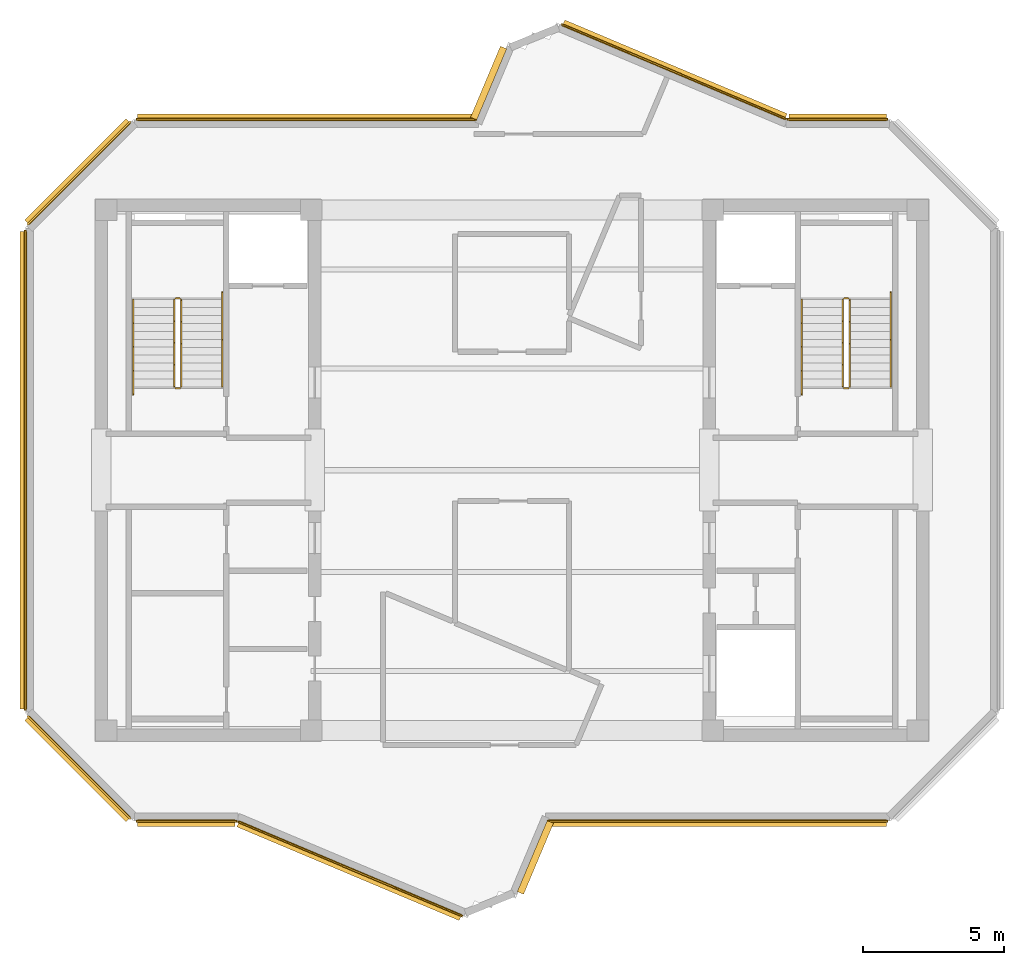
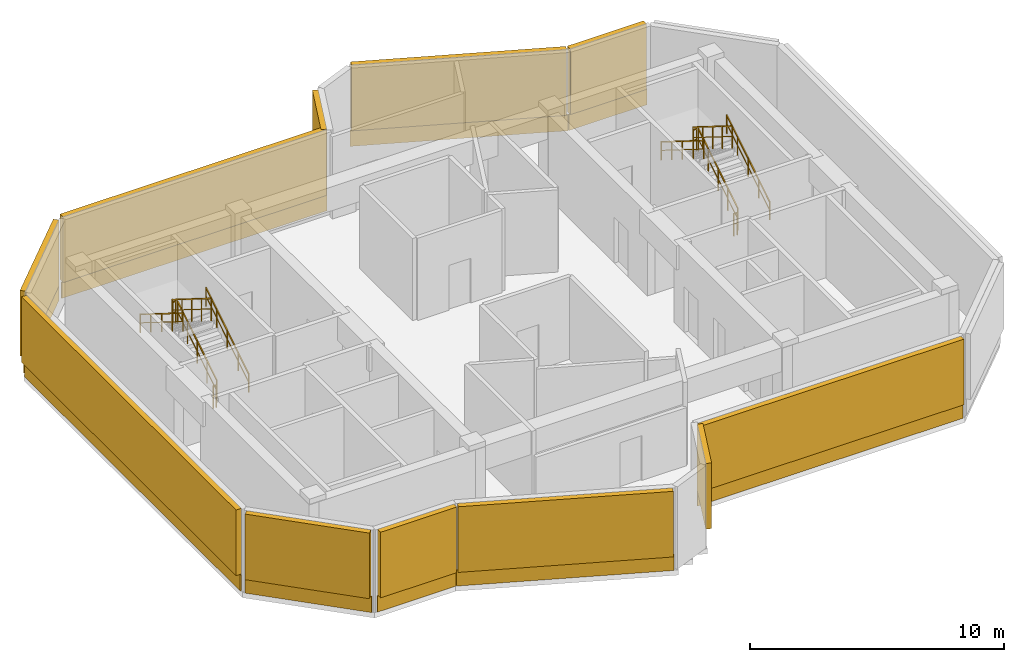
# One storey, part 4 of 5: 12 railings, 11 shading devices, 9 coverings.
"""IFC4 building model written with IfcOpenShell, lengths in metres."""

from ifc_helpers import new_model, si_unit, direction, frame, origin, origin_2d, place, context, subcontext, project, spatial, rectangle, extrude, source, transform, mapped, material, layer, layer_set, type_object, element, save


model = new_model("IFC4")

# Units and contexts
model_context = context("Model", 3, precision=1e-05, world=origin(), true_north=direction((0.0, 1.0)))
body_context = subcontext(model_context, "Body", "Model", "MODEL_VIEW")
ifc_project = project(units=[si_unit("LENGTHUNIT", "METRE"), si_unit("AREAUNIT", "SQUARE_METRE"), si_unit("VOLUMEUNIT", "CUBIC_METRE"), si_unit("PLANEANGLEUNIT", "RADIAN"), si_unit("MASSUNIT", "GRAM", prefix="KILO")], contexts=[model_context])

# Site, building, storey
site_placement = place(None, origin())
site = spatial("IfcSite", under=ifc_project, at=site_placement, CompositionType="ELEMENT")
building_placement = place(site_placement, origin())
building = spatial("IfcBuilding", under=site, at=building_placement, Name="Zahravan Cultural Tower", CompositionType="ELEMENT")
storey_placement = place(building_placement, frame((0.0, 0.0, 379.64990234375)))
storey = spatial("IfcBuildingStorey", under=building, at=storey_placement, Name="L92", CompositionType="ELEMENT", Elevation=379.64990234375)

# Railings
ifc_material_1 = material(Name="Steel ASTM A572 Grade 50", Category="steel")
railing_type_1 = type_object("IfcRailingType", Name="RL-STAIR-GRD1150", PredefinedType="BALUSTRADE", material=ifc_material_1)
railing_1_placement = place(storey_placement, frame((24.300048828125, 29.949951171875, 0.175048828125)))
element("IfcRailing", 1, at=railing_1_placement, inside=storey, type_object=railing_type_1, Name="L92 ST-W1 stair guard 1", PredefinedType="BALUSTRADE", context=body_context, shape_type="SweptSolid", body=[
    extrude(rectangle(XDim=0.05, YDim=0.05, at=origin_2d()), frame((0.0, 0.0, 1.0751953125), z_axis=(0.0, 0.847998304005, 0.529998940003), x_axis=(-1.0, 0.0, 0.0)), (0.0, 0.0, 1.0), 3.632080078125),
    extrude(rectangle(XDim=0.032, YDim=0.032, at=origin_2d()), frame((0.0, 0.0, 0.572021484375), z_axis=(0.0, 0.847998304005, 0.529998940003), x_axis=(-1.0, 0.0, 0.0)), (0.0, 0.0, 1.0), 3.632080078125),
    extrude(rectangle(XDim=0.04, YDim=0.04, at=origin_2d()), origin(), (0.0, 0.0, 1.0), 1.10009765625),
    extrude(rectangle(XDim=0.04, YDim=0.04, at=origin_2d()), frame((0.0, 0.77001953125, 0.481201171875)), (0.0, 0.0, 1.0), 1.10009765625),
    extrude(rectangle(XDim=0.04, YDim=0.04, at=origin_2d()), frame((0.0, 1.5400390625, 0.96240234375)), (0.0, 0.0, 1.0), 1.10009765625),
    extrude(rectangle(XDim=0.04, YDim=0.04, at=origin_2d()), frame((0.0, 2.31005859375, 1.44384765625)), (0.0, 0.0, 1.0), 1.10009765625),
    extrude(rectangle(XDim=0.04, YDim=0.04, at=origin_2d()), frame((0.0, 3.080078125, 1.925048828125)), (0.0, 0.0, 1.0), 1.10009765625),
])
railing_2_placement = place(storey_placement, frame((24.25, 33.080078125, 2.10009765625)))
element("IfcRailing", 2, at=railing_2_placement, inside=storey, type_object=railing_type_1, Name="L92 ST-W1 stair guard 2", PredefinedType="BALUSTRADE", context=body_context, shape_type="SweptSolid", body=[
    extrude(rectangle(XDim=0.05, YDim=0.05, at=origin_2d()), frame((0.0, 0.0, 1.0751953125), z_axis=(-1.0, 0.0, 0.0), x_axis=(0.0, -1.0, 0.0)), (0.0, 0.0, 1.0), 0.14990234375),
    extrude(rectangle(XDim=0.032, YDim=0.032, at=origin_2d()), frame((0.0, 0.0, 0.572021484375), z_axis=(-1.0, 0.0, 0.0), x_axis=(0.0, -1.0, 0.0)), (0.0, 0.0, 1.0), 0.14990234375),
    extrude(rectangle(XDim=0.04, YDim=0.04, at=origin_2d()), origin(), (0.0, 0.0, 1.0), 1.10009765625),
    extrude(rectangle(XDim=0.04, YDim=0.04, at=origin_2d()), frame((-0.14990234375, 0.0, 0.0)), (0.0, 0.0, 1.0), 1.10009765625),
])
railing_3_placement = place(storey_placement, frame((24.050048828125, 33.030029296875, 2.275146484375)))
element("IfcRailing", 3, at=railing_3_placement, inside=storey, type_object=railing_type_1, Name="L92 ST-W1 stair guard 3", PredefinedType="BALUSTRADE", context=body_context, shape_type="SweptSolid", body=[
    extrude(rectangle(XDim=0.05, YDim=0.05, at=origin_2d()), frame((0.0, 0.0, 1.0751953125), z_axis=(0.0, -0.847998304005, 0.529998940003), x_axis=(1.0, 0.0, 0.0)), (0.0, 0.0, 1.0), 3.632080078125),
    extrude(rectangle(XDim=0.032, YDim=0.032, at=origin_2d()), frame((0.0, 0.0, 0.572021484375), z_axis=(0.0, -0.847998304005, 0.529998940003), x_axis=(1.0, 0.0, 0.0)), (0.0, 0.0, 1.0), 3.632080078125),
    extrude(rectangle(XDim=0.04, YDim=0.04, at=origin_2d()), origin(), (0.0, 0.0, 1.0), 1.10009765625),
    extrude(rectangle(XDim=0.04, YDim=0.04, at=origin_2d()), frame((0.0, -0.77001953125, 0.481201171875)), (0.0, 0.0, 1.0), 1.10009765625),
    extrude(rectangle(XDim=0.04, YDim=0.04, at=origin_2d()), frame((0.0, -1.5400390625, 0.96240234375)), (0.0, 0.0, 1.0), 1.10009765625),
    extrude(rectangle(XDim=0.04, YDim=0.04, at=origin_2d()), frame((0.0, -2.31005859375, 1.44384765625)), (0.0, 0.0, 1.0), 1.10009765625),
    extrude(rectangle(XDim=0.04, YDim=0.04, at=origin_2d()), frame((0.0, -3.080078125, 1.925048828125)), (0.0, 0.0, 1.0), 1.10009765625),
])
railing_4_placement = place(storey_placement, frame((24.25, 29.89990234375, 0.0)))
element("IfcRailing", 4, at=railing_4_placement, inside=storey, type_object=railing_type_1, Name="L92 ST-W1 stair guard 4", PredefinedType="BALUSTRADE", context=body_context, shape_type="SweptSolid", body=[
    extrude(rectangle(XDim=0.05, YDim=0.05, at=origin_2d()), frame((0.0, 0.0, 1.0751953125), z_axis=(-1.0, 0.0, 0.0), x_axis=(0.0, -1.0, 0.0)), (0.0, 0.0, 1.0), 0.14990234375),
    extrude(rectangle(XDim=0.032, YDim=0.032, at=origin_2d()), frame((0.0, 0.0, 0.572021484375), z_axis=(-1.0, 0.0, 0.0), x_axis=(0.0, -1.0, 0.0)), (0.0, 0.0, 1.0), 0.14990234375),
    extrude(rectangle(XDim=0.04, YDim=0.04, at=origin_2d()), origin(), (0.0, 0.0, 1.0), 1.10009765625),
    extrude(rectangle(XDim=0.04, YDim=0.04, at=origin_2d()), frame((-0.14990234375, 0.0, 0.0)), (0.0, 0.0, 1.0), 1.10009765625),
])
railing_5_placement = place(storey_placement, frame((47.949951171875, 29.949951171875, 0.175048828125)))
element("IfcRailing", 5, at=railing_5_placement, inside=storey, type_object=railing_type_1, Name="L92 ST-E1 stair guard 1", PredefinedType="BALUSTRADE", context=body_context, shape_type="SweptSolid", body=[
    extrude(rectangle(XDim=0.05, YDim=0.05, at=origin_2d()), frame((0.0, 0.0, 1.0751953125), z_axis=(0.0, 0.847998304005, 0.529998940003), x_axis=(-1.0, 0.0, 0.0)), (0.0, 0.0, 1.0), 3.632080078125),
    extrude(rectangle(XDim=0.032, YDim=0.032, at=origin_2d()), frame((0.0, 0.0, 0.572021484375), z_axis=(0.0, 0.847998304005, 0.529998940003), x_axis=(-1.0, 0.0, 0.0)), (0.0, 0.0, 1.0), 3.632080078125),
    extrude(rectangle(XDim=0.04, YDim=0.04, at=origin_2d()), origin(), (0.0, 0.0, 1.0), 1.10009765625),
    extrude(rectangle(XDim=0.04, YDim=0.04, at=origin_2d()), frame((0.0, 0.77001953125, 0.481201171875)), (0.0, 0.0, 1.0), 1.10009765625),
    extrude(rectangle(XDim=0.04, YDim=0.04, at=origin_2d()), frame((0.0, 1.5400390625, 0.96240234375)), (0.0, 0.0, 1.0), 1.10009765625),
    extrude(rectangle(XDim=0.04, YDim=0.04, at=origin_2d()), frame((0.0, 2.31005859375, 1.44384765625)), (0.0, 0.0, 1.0), 1.10009765625),
    extrude(rectangle(XDim=0.04, YDim=0.04, at=origin_2d()), frame((0.0, 3.080078125, 1.925048828125)), (0.0, 0.0, 1.0), 1.10009765625),
])
railing_6_placement = place(storey_placement, frame((47.89990234375, 33.080078125, 2.10009765625)))
element("IfcRailing", 6, at=railing_6_placement, inside=storey, type_object=railing_type_1, Name="L92 ST-E1 stair guard 2", PredefinedType="BALUSTRADE", context=body_context, shape_type="SweptSolid", body=[
    extrude(rectangle(XDim=0.05, YDim=0.05, at=origin_2d()), frame((0.0, 0.0, 1.0751953125), z_axis=(-1.0, 0.0, 0.0), x_axis=(0.0, -1.0, 0.0)), (0.0, 0.0, 1.0), 0.14990234375),
    extrude(rectangle(XDim=0.032, YDim=0.032, at=origin_2d()), frame((0.0, 0.0, 0.572021484375), z_axis=(-1.0, 0.0, 0.0), x_axis=(0.0, -1.0, 0.0)), (0.0, 0.0, 1.0), 0.14990234375),
    extrude(rectangle(XDim=0.04, YDim=0.04, at=origin_2d()), origin(), (0.0, 0.0, 1.0), 1.10009765625),
    extrude(rectangle(XDim=0.04, YDim=0.04, at=origin_2d()), frame((-0.14990234375, 0.0, 0.0)), (0.0, 0.0, 1.0), 1.10009765625),
])
railing_7_placement = place(storey_placement, frame((47.699951171875, 33.030029296875, 2.275146484375)))
element("IfcRailing", 7, at=railing_7_placement, inside=storey, type_object=railing_type_1, Name="L92 ST-E1 stair guard 3", PredefinedType="BALUSTRADE", context=body_context, shape_type="SweptSolid", body=[
    extrude(rectangle(XDim=0.05, YDim=0.05, at=origin_2d()), frame((0.0, 0.0, 1.0751953125), z_axis=(0.0, -0.847998304005, 0.529998940003), x_axis=(1.0, 0.0, 0.0)), (0.0, 0.0, 1.0), 3.632080078125),
    extrude(rectangle(XDim=0.032, YDim=0.032, at=origin_2d()), frame((0.0, 0.0, 0.572021484375), z_axis=(0.0, -0.847998304005, 0.529998940003), x_axis=(1.0, 0.0, 0.0)), (0.0, 0.0, 1.0), 3.632080078125),
    extrude(rectangle(XDim=0.04, YDim=0.04, at=origin_2d()), origin(), (0.0, 0.0, 1.0), 1.10009765625),
    extrude(rectangle(XDim=0.04, YDim=0.04, at=origin_2d()), frame((0.0, -0.77001953125, 0.481201171875)), (0.0, 0.0, 1.0), 1.10009765625),
    extrude(rectangle(XDim=0.04, YDim=0.04, at=origin_2d()), frame((0.0, -1.5400390625, 0.96240234375)), (0.0, 0.0, 1.0), 1.10009765625),
    extrude(rectangle(XDim=0.04, YDim=0.04, at=origin_2d()), frame((0.0, -2.31005859375, 1.44384765625)), (0.0, 0.0, 1.0), 1.10009765625),
    extrude(rectangle(XDim=0.04, YDim=0.04, at=origin_2d()), frame((0.0, -3.080078125, 1.925048828125)), (0.0, 0.0, 1.0), 1.10009765625),
])
railing_8_placement = place(storey_placement, frame((47.89990234375, 29.89990234375, 0.0)))
element("IfcRailing", 8, at=railing_8_placement, inside=storey, type_object=railing_type_1, Name="L92 ST-E1 stair guard 4", PredefinedType="BALUSTRADE", context=body_context, shape_type="SweptSolid", body=[
    extrude(rectangle(XDim=0.05, YDim=0.05, at=origin_2d()), frame((0.0, 0.0, 1.0751953125), z_axis=(-1.0, 0.0, 0.0), x_axis=(0.0, -1.0, 0.0)), (0.0, 0.0, 1.0), 0.14990234375),
    extrude(rectangle(XDim=0.032, YDim=0.032, at=origin_2d()), frame((0.0, 0.0, 0.572021484375), z_axis=(-1.0, 0.0, 0.0), x_axis=(0.0, -1.0, 0.0)), (0.0, 0.0, 1.0), 0.14990234375),
    extrude(rectangle(XDim=0.04, YDim=0.04, at=origin_2d()), origin(), (0.0, 0.0, 1.0), 1.10009765625),
    extrude(rectangle(XDim=0.04, YDim=0.04, at=origin_2d()), frame((-0.14990234375, 0.0, 0.0)), (0.0, 0.0, 1.0), 1.10009765625),
])
railing_type_2 = type_object("IfcRailingType", Name="RL-STAIR-HR900", PredefinedType="HANDRAIL", material=ifc_material_1)
railing_9_placement = place(storey_placement, frame((25.75, 29.949951171875, 0.175048828125)))
element("IfcRailing", 9, at=railing_9_placement, inside=storey, type_object=railing_type_2, Name="L92 ST-W1 stair handrail 1", PredefinedType="HANDRAIL", context=body_context, shape_type="SweptSolid", body=[
    extrude(rectangle(XDim=0.05, YDim=0.05, at=origin_2d()), frame((0.0, 0.0, 0.875), z_axis=(0.0, 0.847994842521, 0.530004478338), x_axis=(-1.0, 0.0, 0.0)), (0.0, 0.0, 1.0), 3.96240234375),
    extrude(rectangle(XDim=0.032, YDim=0.032, at=origin_2d()), frame((0.0, 0.0, 0.468017578125), z_axis=(0.0, 0.847994842521, 0.530004478338), x_axis=(-1.0, 0.0, 0.0)), (0.0, 0.0, 1.0), 3.96240234375),
    extrude(rectangle(XDim=0.04, YDim=0.04, at=origin_2d()), origin(), (0.0, 0.0, 1.0), 0.89990234375),
    extrude(rectangle(XDim=0.04, YDim=0.04, at=origin_2d()), frame((0.0, 0.840087890625, 0.52490234375)), (0.0, 0.0, 1.0), 0.89990234375),
    extrude(rectangle(XDim=0.04, YDim=0.04, at=origin_2d()), frame((0.0, 1.68017578125, 1.050048828125)), (0.0, 0.0, 1.0), 0.89990234375),
    extrude(rectangle(XDim=0.04, YDim=0.04, at=origin_2d()), frame((0.0, 2.52001953125, 1.5751953125)), (0.0, 0.0, 1.0), 0.89990234375),
    extrude(rectangle(XDim=0.04, YDim=0.04, at=origin_2d()), frame((0.0, 3.360107421875, 2.10009765625)), (0.0, 0.0, 1.0), 0.89990234375),
])
railing_10_placement = place(storey_placement, frame((22.60009765625, 33.030029296875, 2.275146484375)))
element("IfcRailing", 10, at=railing_10_placement, inside=storey, type_object=railing_type_2, Name="L92 ST-W1 stair handrail 2", PredefinedType="HANDRAIL", context=body_context, shape_type="SweptSolid", body=[
    extrude(rectangle(XDim=0.05, YDim=0.05, at=origin_2d()), frame((0.0, 0.0, 0.875), z_axis=(0.0, -0.848022534174, 0.529960169762), x_axis=(1.0, 0.0, 0.0)), (0.0, 0.0, 1.0), 3.96240234375),
    extrude(rectangle(XDim=0.032, YDim=0.032, at=origin_2d()), frame((0.0, 0.0, 0.468017578125), z_axis=(0.0, -0.848022534174, 0.529960169762), x_axis=(1.0, 0.0, 0.0)), (0.0, 0.0, 1.0), 3.96240234375),
    extrude(rectangle(XDim=0.04, YDim=0.04, at=origin_2d()), origin(), (0.0, 0.0, 1.0), 0.89990234375),
    extrude(rectangle(XDim=0.04, YDim=0.04, at=origin_2d()), frame((0.0, -0.840087890625, 0.52490234375)), (0.0, 0.0, 1.0), 0.89990234375),
    extrude(rectangle(XDim=0.04, YDim=0.04, at=origin_2d()), frame((0.0, -1.68017578125, 1.0498046875)), (0.0, 0.0, 1.0), 0.89990234375),
    extrude(rectangle(XDim=0.04, YDim=0.04, at=origin_2d()), frame((0.0, -2.52001953125, 1.574951171875)), (0.0, 0.0, 1.0), 0.89990234375),
    extrude(rectangle(XDim=0.04, YDim=0.04, at=origin_2d()), frame((0.0, -3.360107421875, 2.099853515625)), (0.0, 0.0, 1.0), 0.89990234375),
])
railing_11_placement = place(storey_placement, frame((49.39990234375, 29.949951171875, 0.175048828125)))
element("IfcRailing", 11, at=railing_11_placement, inside=storey, type_object=railing_type_2, Name="L92 ST-E1 stair handrail 1", PredefinedType="HANDRAIL", context=body_context, shape_type="SweptSolid", body=[
    extrude(rectangle(XDim=0.05, YDim=0.05, at=origin_2d()), frame((0.0, 0.0, 0.875), z_axis=(0.0, 0.847994842521, 0.530004478338), x_axis=(-1.0, 0.0, 0.0)), (0.0, 0.0, 1.0), 3.96240234375),
    extrude(rectangle(XDim=0.032, YDim=0.032, at=origin_2d()), frame((0.0, 0.0, 0.468017578125), z_axis=(0.0, 0.847994842521, 0.530004478338), x_axis=(-1.0, 0.0, 0.0)), (0.0, 0.0, 1.0), 3.96240234375),
    extrude(rectangle(XDim=0.04, YDim=0.04, at=origin_2d()), origin(), (0.0, 0.0, 1.0), 0.89990234375),
    extrude(rectangle(XDim=0.04, YDim=0.04, at=origin_2d()), frame((0.0, 0.840087890625, 0.52490234375)), (0.0, 0.0, 1.0), 0.89990234375),
    extrude(rectangle(XDim=0.04, YDim=0.04, at=origin_2d()), frame((0.0, 1.68017578125, 1.050048828125)), (0.0, 0.0, 1.0), 0.89990234375),
    extrude(rectangle(XDim=0.04, YDim=0.04, at=origin_2d()), frame((0.0, 2.52001953125, 1.5751953125)), (0.0, 0.0, 1.0), 0.89990234375),
    extrude(rectangle(XDim=0.04, YDim=0.04, at=origin_2d()), frame((0.0, 3.360107421875, 2.10009765625)), (0.0, 0.0, 1.0), 0.89990234375),
])
railing_12_placement = place(storey_placement, frame((46.25, 33.030029296875, 2.275146484375)))
element("IfcRailing", 12, at=railing_12_placement, inside=storey, type_object=railing_type_2, Name="L92 ST-E1 stair handrail 2", PredefinedType="HANDRAIL", context=body_context, shape_type="SweptSolid", body=[
    extrude(rectangle(XDim=0.05, YDim=0.05, at=origin_2d()), frame((0.0, 0.0, 0.875), z_axis=(0.0, -0.848022534174, 0.529960169762), x_axis=(1.0, 0.0, 0.0)), (0.0, 0.0, 1.0), 3.96240234375),
    extrude(rectangle(XDim=0.032, YDim=0.032, at=origin_2d()), frame((0.0, 0.0, 0.468017578125), z_axis=(0.0, -0.848022534174, 0.529960169762), x_axis=(1.0, 0.0, 0.0)), (0.0, 0.0, 1.0), 3.96240234375),
    extrude(rectangle(XDim=0.04, YDim=0.04, at=origin_2d()), origin(), (0.0, 0.0, 1.0), 0.89990234375),
    extrude(rectangle(XDim=0.04, YDim=0.04, at=origin_2d()), frame((0.0, -0.840087890625, 0.52490234375)), (0.0, 0.0, 1.0), 0.89990234375),
    extrude(rectangle(XDim=0.04, YDim=0.04, at=origin_2d()), frame((0.0, -1.68017578125, 1.0498046875)), (0.0, 0.0, 1.0), 0.89990234375),
    extrude(rectangle(XDim=0.04, YDim=0.04, at=origin_2d()), frame((0.0, -2.52001953125, 1.574951171875)), (0.0, 0.0, 1.0), 0.89990234375),
    extrude(rectangle(XDim=0.04, YDim=0.04, at=origin_2d()), frame((0.0, -3.360107421875, 2.099853515625)), (0.0, 0.0, 1.0), 0.89990234375),
])

# Coverings
ifc_material_2 = material(Name="Terracotta ceramic cladding", Category="masonry")
ifc_layer = layer(ifc_material_2, 0.06005859375)
ifc_layer_set = layer_set([ifc_layer], Name="Terracotta ceramic cladding")
covering_type = type_object("IfcCoveringType", Name="COV-CLAD-TC60", PredefinedType="CLADDING", material=ifc_layer_set)
shared_shape_1 = source(origin(), body_context, "Body", "SweptSolid", [
    extrude(rectangle(XDim=5.157958984375, YDim=0.06005859375, at=origin_2d()), origin(), (0.0, 0.0, 1.0), 0.760009765625),
])
for number, where, z_axis, x_axis, name in (
    (13, (20.689453125, 16.489501953125, 0.02001953125), (0.0, 0.0, 1.0), (-0.707106781187, 0.707106781187, 0.0), "L92 Terracotta Spandrel Cladding 13"),
    (14, (20.689453125, 37.510498046875, 0.02001953125), (0.0, 0.0, 1.0), (0.707106781187, 0.707106781187, 0.0), "L92 Terracotta Spandrel Cladding 15"),
):
    element("IfcCovering", number, at=place(storey_placement, frame(where, z_axis=z_axis, x_axis=x_axis)), inside=storey, type_object=covering_type, Name=name, PredefinedType="CLADDING", context=body_context, shape_type="MappedRepresentation", body=[
        mapped(shared_shape_1, transform((0.0, 0.0, 0.0), x_axis=(1.0, 0.0, 0.0), y_axis=(0.0, 1.0, 0.0), z_axis=(0.0, 0.0, 1.0), scale=1.0)),
    ])
shared_shape_2 = source(origin(), body_context, "Body", "SweptSolid", [
    extrude(rectangle(XDim=8.627197265625, YDim=0.06005859375, at=origin_2d()), origin(), (0.0, 0.0, 1.0), 0.760009765625),
])
for number, where, z_axis, x_axis, name in (
    (15, (41.727294921875, 41.097412109375, 0.02001953125), (0.0, 0.0, 1.0), (0.921524629468, -0.388319916157, 0.0), "L92 Terracotta Spandrel Cladding 03"),
    (16, (30.272705078125, 12.902587890625, 0.02001953125), (0.0, 0.0, 1.0), (-0.921524629468, 0.388319916157, 0.0), "L92 Terracotta Spandrel Cladding 11"),
):
    element("IfcCovering", number, at=place(storey_placement, frame(where, z_axis=z_axis, x_axis=x_axis)), inside=storey, type_object=covering_type, Name=name, PredefinedType="CLADDING", context=body_context, shape_type="MappedRepresentation", body=[
        mapped(shared_shape_2, transform((0.0, 0.0, 0.0), x_axis=(1.0, 0.0, 0.0), y_axis=(0.0, 1.0, 0.0), z_axis=(0.0, 0.0, 1.0), scale=1.0)),
    ])
shared_shape_3 = source(origin(), body_context, "Body", "SweptSolid", [
    extrude(rectangle(XDim=3.5537109375, YDim=0.06005859375, at=origin_2d()), origin(), (0.0, 0.0, 1.0), 0.760009765625),
])
for number, where, z_axis, x_axis, name in (
    (17, (47.51513671875, 39.4150390625, 0.02001953125), (0.0, 0.0, 1.0), (1.0, 0.0, 0.0), "L92 Terracotta Spandrel Cladding 04"),
    (18, (24.48486328125, 14.5849609375, 0.02001953125), (0.0, 0.0, 1.0), (-1.0, 0.0, 0.0), "L92 Terracotta Spandrel Cladding 12"),
):
    element("IfcCovering", number, at=place(storey_placement, frame(where, z_axis=z_axis, x_axis=x_axis)), inside=storey, type_object=covering_type, Name=name, PredefinedType="CLADDING", context=body_context, shape_type="MappedRepresentation", body=[
        mapped(shared_shape_3, transform((0.0, 0.0, 0.0), x_axis=(1.0, 0.0, 0.0), y_axis=(0.0, 1.0, 0.0), z_axis=(0.0, 0.0, 1.0), scale=1.0)),
    ])
shared_shape_4 = source(origin(), body_context, "Body", "SweptSolid", [
    extrude(rectangle(XDim=16.98388671875, YDim=0.06005859375, at=origin_2d()), origin(), (0.0, 0.0, 1.0), 0.760009765625),
])
covering_placement = place(storey_placement, frame((18.784912109375, 27.0, 0.02001953125), z_axis=(0.0, 0.0, 1.0), x_axis=(0.0, 1.0, 0.0)))
element("IfcCovering", 19, at=covering_placement, inside=storey, type_object=covering_type, Name="L92 Terracotta Spandrel Cladding 14", PredefinedType="CLADDING", context=body_context, shape_type="MappedRepresentation", body=[
    mapped(shared_shape_4, transform((0.0, 0.0, 0.0), x_axis=(1.0, 0.0, 0.0), y_axis=(0.0, 1.0, 0.0), z_axis=(0.0, 0.0, 1.0), scale=1.0)),
])
shared_shape_5 = source(origin(), body_context, "Body", "SweptSolid", [
    extrude(rectangle(XDim=12.04931640625, YDim=0.06005859375, at=origin_2d()), origin(), (0.0, 0.0, 1.0), 0.760009765625),
])
for number, where, z_axis, x_axis, name in (
    (20, (43.267333984375, 14.5849609375, 0.02001953125), (0.0, 0.0, 1.0), (-1.0, 0.0, 0.0), "L92 Terracotta Spandrel Cladding 08"),
    (21, (28.732666015625, 39.4150390625, 0.02001953125), (0.0, 0.0, 1.0), (1.0, 0.0, 0.0), "L92 Terracotta Spandrel Cladding 16"),
):
    element("IfcCovering", number, at=place(storey_placement, frame(where, z_axis=z_axis, x_axis=x_axis)), inside=storey, type_object=covering_type, Name=name, PredefinedType="CLADDING", context=body_context, shape_type="MappedRepresentation", body=[
        mapped(shared_shape_5, transform((0.0, 0.0, 0.0), x_axis=(1.0, 0.0, 0.0), y_axis=(0.0, 1.0, 0.0), z_axis=(0.0, 0.0, 1.0), scale=1.0)),
    ])

# Shading devices
ifc_material_3 = material(Name="Architectural terracotta fin", Category="masonry")
shading_device_type = type_object("IfcShadingDeviceType", Name="SHD-LOUVRE-BAND", PredefinedType="JALOUSIE", material=ifc_material_3)
shared_shape_6 = source(origin(), body_context, "Body", "SweptSolid", [
    extrude(rectangle(XDim=2.725341796875, YDim=0.239990234375, at=origin_2d()), origin(), (0.0, 0.0, 1.0), 3.14990234375),
])
for number, where, z_axis, x_axis, name in (
    (22, (35.172607421875, 40.693359375, 0.780029296875), (0.0, 0.0, 1.0), (0.388335999737, 0.921517851866, 0.0), "L92 Terracotta Acoustic Louvre 01"),
    (23, (36.827392578125, 13.306640625, 0.780029296875), (0.0, 0.0, 1.0), (-0.388335999737, -0.921517851866, 0.0), "L92 Terracotta Acoustic Louvre 08"),
):
    element("IfcShadingDevice", number, at=place(storey_placement, frame(where, z_axis=z_axis, x_axis=x_axis)), inside=storey, type_object=shading_device_type, Name=name, PredefinedType="JALOUSIE", context=body_context, shape_type="MappedRepresentation", body=[
        mapped(shared_shape_6, transform((0.0, 0.0, 0.0), x_axis=(1.0, 0.0, 0.0), y_axis=(0.0, 1.0, 0.0), z_axis=(0.0, 0.0, 1.0), scale=1.0)),
    ])
shared_shape_7 = source(origin(), body_context, "Body", "SweptSolid", [
    extrude(rectangle(XDim=8.527099609375, YDim=0.239990234375, at=origin_2d()), origin(), (0.0, 0.0, 1.0), 3.14990234375),
])
for number, where, z_axis, x_axis, name in (
    (24, (41.75244140625, 41.1572265625, 0.780029296875), (0.0, 0.0, 1.0), (0.921524629468, -0.388319916157, 0.0), "L92 Terracotta Acoustic Louvre 02"),
    (25, (30.24755859375, 12.8427734375, 0.780029296875), (0.0, 0.0, 1.0), (-0.921524629468, 0.388319916157, 0.0), "L92 Terracotta Acoustic Louvre 09"),
):
    element("IfcShadingDevice", number, at=place(storey_placement, frame(where, z_axis=z_axis, x_axis=x_axis)), inside=storey, type_object=shading_device_type, Name=name, PredefinedType="JALOUSIE", context=body_context, shape_type="MappedRepresentation", body=[
        mapped(shared_shape_7, transform((0.0, 0.0, 0.0), x_axis=(1.0, 0.0, 0.0), y_axis=(0.0, 1.0, 0.0), z_axis=(0.0, 0.0, 1.0), scale=1.0)),
    ])
shared_shape_8 = source(origin(), body_context, "Body", "SweptSolid", [
    extrude(rectangle(XDim=3.453857421875, YDim=0.239990234375, at=origin_2d()), origin(), (0.0, 0.0, 1.0), 3.14990234375),
])
for number, where, z_axis, x_axis, name in (
    (26, (47.51513671875, 39.47998046875, 0.780029296875), (0.0, 0.0, 1.0), (1.0, 0.0, 0.0), "L92 Terracotta Acoustic Louvre 03"),
    (27, (24.48486328125, 14.52001953125, 0.780029296875), (0.0, 0.0, 1.0), (-1.0, 0.0, 0.0), "L92 Terracotta Acoustic Louvre 10"),
):
    element("IfcShadingDevice", number, at=place(storey_placement, frame(where, z_axis=z_axis, x_axis=x_axis)), inside=storey, type_object=shading_device_type, Name=name, PredefinedType="JALOUSIE", context=body_context, shape_type="MappedRepresentation", body=[
        mapped(shared_shape_8, transform((0.0, 0.0, 0.0), x_axis=(1.0, 0.0, 0.0), y_axis=(0.0, 1.0, 0.0), z_axis=(0.0, 0.0, 1.0), scale=1.0)),
    ])
shared_shape_9 = source(origin(), body_context, "Body", "SweptSolid", [
    extrude(rectangle(XDim=5.05810546875, YDim=0.239990234375, at=origin_2d()), origin(), (0.0, 0.0, 1.0), 3.14990234375),
])
for number, where, z_axis, x_axis, name in (
    (28, (20.643310546875, 16.443359375, 0.780029296875), (0.0, 0.0, 1.0), (-0.707106781187, 0.707106781187, 0.0), "L92 Terracotta Acoustic Louvre 11"),
    (29, (20.643310546875, 37.556640625, 0.780029296875), (0.0, 0.0, 1.0), (0.707106781187, 0.707106781187, 0.0), "L92 Terracotta Acoustic Louvre 13"),
):
    element("IfcShadingDevice", number, at=place(storey_placement, frame(where, z_axis=z_axis, x_axis=x_axis)), inside=storey, type_object=shading_device_type, Name=name, PredefinedType="JALOUSIE", context=body_context, shape_type="MappedRepresentation", body=[
        mapped(shared_shape_9, transform((0.0, 0.0, 0.0), x_axis=(1.0, 0.0, 0.0), y_axis=(0.0, 1.0, 0.0), z_axis=(0.0, 0.0, 1.0), scale=1.0)),
    ])
shared_shape_10 = source(origin(), body_context, "Body", "SweptSolid", [
    extrude(rectangle(XDim=16.884033203125, YDim=0.239990234375, at=origin_2d()), origin(), (0.0, 0.0, 1.0), 3.14990234375),
])
shading_device_placement = place(storey_placement, frame((18.719970703125, 27.0, 0.780029296875), z_axis=(0.0, 0.0, 1.0), x_axis=(0.0, 1.0, 0.0)))
element("IfcShadingDevice", 30, at=shading_device_placement, inside=storey, type_object=shading_device_type, Name="L92 Terracotta Acoustic Louvre 12", PredefinedType="JALOUSIE", context=body_context, shape_type="MappedRepresentation", body=[
    mapped(shared_shape_10, transform((0.0, 0.0, 0.0), x_axis=(1.0, 0.0, 0.0), y_axis=(0.0, 1.0, 0.0), z_axis=(0.0, 0.0, 1.0), scale=1.0)),
])
shared_shape_11 = source(origin(), body_context, "Body", "SweptSolid", [
    extrude(rectangle(XDim=11.94921875, YDim=0.239990234375, at=origin_2d()), origin(), (0.0, 0.0, 1.0), 3.14990234375),
])
for number, where, z_axis, x_axis, name in (
    (31, (43.267333984375, 14.52001953125, 0.780029296875), (0.0, 0.0, 1.0), (-1.0, 0.0, 0.0), "L92 Terracotta Acoustic Louvre 07"),
    (32, (28.732666015625, 39.47998046875, 0.780029296875), (0.0, 0.0, 1.0), (1.0, 0.0, 0.0), "L92 Terracotta Acoustic Louvre 14"),
):
    element("IfcShadingDevice", number, at=place(storey_placement, frame(where, z_axis=z_axis, x_axis=x_axis)), inside=storey, type_object=shading_device_type, Name=name, PredefinedType="JALOUSIE", context=body_context, shape_type="MappedRepresentation", body=[
        mapped(shared_shape_11, transform((0.0, 0.0, 0.0), x_axis=(1.0, 0.0, 0.0), y_axis=(0.0, 1.0, 0.0), z_axis=(0.0, 0.0, 1.0), scale=1.0)),
    ])

save(model, "model.ifc")
